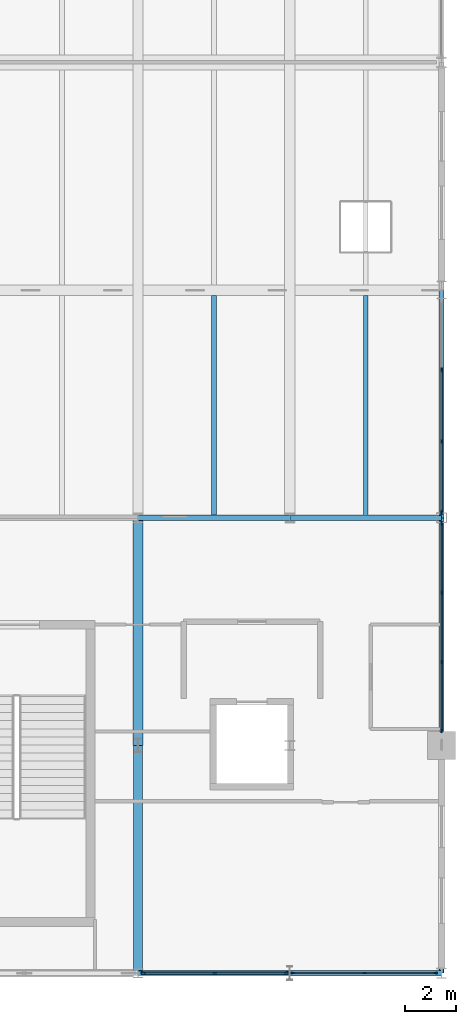
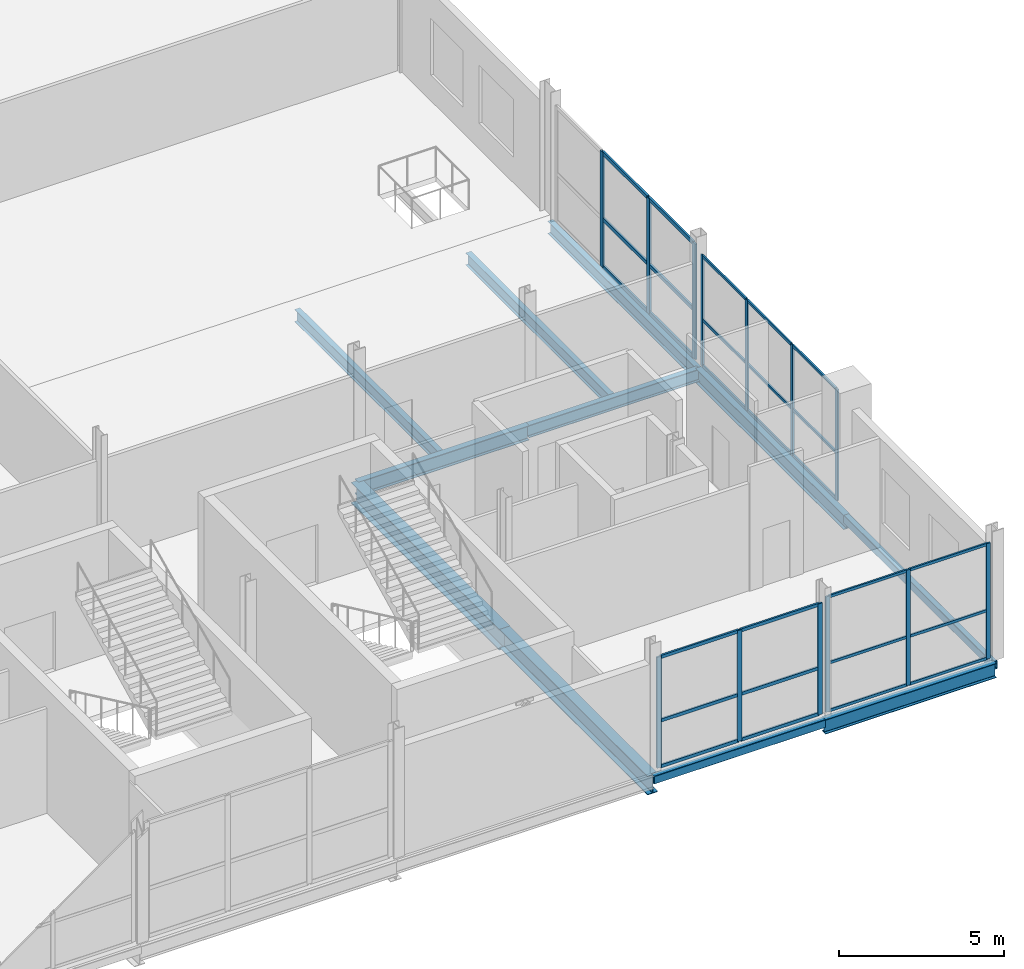
# One storey, part 21 of 69: 40 members, 11 beams, 4 elements without a shape of their own.
"""IFC4 building model written with IfcOpenShell, lengths in metres."""

from ifc_helpers import new_model, si_unit, direction, frame, origin, origin_2d, place, context, subcontext, project, spatial, rectangle, hollow_rectangle, i_section, extrude, material, layer, layer_set, material_profile, profile_set, type_object, element, aggregate, save


model = new_model("IFC4")

# Units and contexts
model_context = context("Model", 3, precision=1e-05, world=origin(), true_north=direction((0.0, 1.0)))
body_context = subcontext(model_context, "Body", "Model", "MODEL_VIEW")
ifc_project = project(units=[si_unit("LENGTHUNIT", "METRE"), si_unit("AREAUNIT", "SQUARE_METRE"), si_unit("VOLUMEUNIT", "CUBIC_METRE"), si_unit("PLANEANGLEUNIT", "RADIAN"), si_unit("MASSUNIT", "GRAM", prefix="KILO")], contexts=[model_context])

# Site, building, storey
site_placement = place(None, origin())
site = spatial("IfcSite", under=ifc_project, at=site_placement, CompositionType="ELEMENT")
building_placement = place(site_placement, origin())
building = spatial("IfcBuilding", under=site, at=building_placement, Name="Qamarlyn Nura Convention Centre", CompositionType="ELEMENT")
storey_placement = place(building_placement, frame((0.0, 0.0, 15.60009765625)))
storey = spatial("IfcBuildingStorey", under=building, at=storey_placement, Name="L03", CompositionType="ELEMENT", Elevation=15.60009765625)

# Beams
ifc_material_1 = material(Name="Steel ASTM A992", Category="steel")
ifc_material_profile_1 = material_profile(ifc_material_1, i_section(OverallWidth=0.35498046875, OverallDepth=0.695068359375, WebThickness=0.015380859375, FlangeThickness=0.02490234375, FilletRadius=0.01806640625, at=origin_2d()), Name="W690X217")
ifc_profile_set_1 = profile_set([ifc_material_profile_1], Name="Steel ASTM A992")
beam_type_1 = type_object("IfcBeamType", Name="BM-GIRD-690A", PredefinedType="BEAM", material=ifc_profile_set_1)
beam_1_placement = place(storey_placement, frame((180.0, 0.0, -0.547607421875), z_axis=(0.0, 1.0, 0.0), x_axis=(-1.0, 0.0, 0.0)))
element("IfcBeam", 1, at=beam_1_placement, inside=storey, type_object=beam_type_1, Name="L03 girder 16 A-B", PredefinedType="BEAM", context=body_context, shape_type="SweptSolid", body=[
    extrude(i_section(OverallWidth=0.35498046875, OverallDepth=0.695068359375, WebThickness=0.015380859375, FlangeThickness=0.02490234375, FilletRadius=0.01806640625, at=origin_2d()), origin(), (0.0, 0.0, 1.0), 9.0),
])
ifc_material_profile_2 = material_profile(ifc_material_1, i_section(OverallWidth=0.381103515625, OverallDepth=0.77294921875, WebThickness=0.0166015625, FlangeThickness=0.027587890625, FilletRadius=0.02001953125, at=origin_2d()), Name="W760X257")
ifc_profile_set_2 = profile_set([ifc_material_profile_2], Name="Steel ASTM A992")
beam_type_2 = type_object("IfcBeamType", Name="BM-GIRD-760", PredefinedType="BEAM", material=ifc_profile_set_2)
beam_2_placement = place(storey_placement, frame((180.0, 9.0, -0.586669921875), z_axis=(0.0, 1.0, 0.0), x_axis=(-1.0, 0.0, 0.0)))
element("IfcBeam", 2, at=beam_2_placement, inside=storey, type_object=beam_type_2, Name="L03 girder 16 B-C", PredefinedType="BEAM", context=body_context, shape_type="SweptSolid", body=[
    extrude(i_section(OverallWidth=0.381103515625, OverallDepth=0.77294921875, WebThickness=0.0166015625, FlangeThickness=0.027587890625, FilletRadius=0.02001953125, at=origin_2d()), origin(), (0.0, 0.0, 1.0), 9.0),
])
ifc_material_profile_3 = material_profile(ifc_material_1, i_section(OverallWidth=0.18994140625, OverallDepth=0.45703125, WebThickness=0.009033203125, FlangeThickness=0.014404296875, FilletRadius=0.012939453125, at=origin_2d()), Name="W460X74")
ifc_profile_set_3 = profile_set([ifc_material_profile_3], Name="Steel ASTM A992")
beam_type_3 = type_object("IfcBeamType", Name="BM-JOIST-460", PredefinedType="JOIST", material=ifc_profile_set_3)
beam_3_placement = place(storey_placement, frame((183.0, 18.10546875, -0.4287109375), z_axis=(0.0, 1.0, 0.0), x_axis=(-1.0, 0.0, 0.0)))
element("IfcBeam", 3, at=beam_3_placement, inside=storey, type_object=beam_type_3, Name="L03 secondary joist 16-17/C-D-42", PredefinedType="JOIST", context=body_context, shape_type="SweptSolid", body=[
    extrude(i_section(OverallWidth=0.18994140625, OverallDepth=0.45703125, WebThickness=0.009033203125, FlangeThickness=0.014404296875, FilletRadius=0.012939453125, at=origin_2d()), origin(), (0.0, 0.0, 1.0), 8.685546875),
])
beam_4_placement = place(storey_placement, frame((189.0, 18.096435546875, -0.4287109375), z_axis=(0.0, 1.0, 0.0), x_axis=(-1.0, 0.0, 0.0)))
element("IfcBeam", 4, at=beam_4_placement, inside=storey, type_object=beam_type_3, Name="L03 secondary joist 17-18/C-D-47", PredefinedType="JOIST", context=body_context, shape_type="SweptSolid", body=[
    extrude(i_section(OverallWidth=0.18994140625, OverallDepth=0.45703125, WebThickness=0.009033203125, FlangeThickness=0.014404296875, FilletRadius=0.012939453125, at=origin_2d()), origin(), (0.0, 0.0, 1.0), 8.694580078125),
])
ifc_material_profile_4 = material_profile(ifc_material_1, i_section(OverallWidth=0.193115234375, OverallDepth=0.466064453125, WebThickness=0.011474609375, FlangeThickness=0.01904296875, FilletRadius=0.012939453125, at=origin_2d()), Name="W460X97")
ifc_profile_set_4 = profile_set([ifc_material_profile_4], Name="Steel ASTM A992")
beam_type_4 = type_object("IfcBeamType", Name="BM-SPAN-460", PredefinedType="SPANDREL", material=ifc_profile_set_4)
beam_5_placement = place(storey_placement, frame((186.0, 18.0, -0.43310546875), z_axis=(1.0, 0.0, 0.0), x_axis=(0.0, 1.0, 0.0)))
element("IfcBeam", 5, at=beam_5_placement, inside=storey, type_object=beam_type_4, Name="L03 girder C 17-18", PredefinedType="SPANDREL", context=body_context, shape_type="SweptSolid", body=[
    extrude(i_section(OverallWidth=0.193115234375, OverallDepth=0.466064453125, WebThickness=0.011474609375, FlangeThickness=0.01904296875, FilletRadius=0.012939453125, at=origin_2d()), origin(), (0.0, 0.0, 1.0), 6.0),
])
beam_6_placement = place(storey_placement, frame((192.0, 18.0, -0.43310546875), z_axis=(0.0, 1.0, 0.0), x_axis=(-1.0, 0.0, 0.0)))
element("IfcBeam", 6, at=beam_6_placement, inside=storey, type_object=beam_type_4, Name="L03 girder 18 C-D", PredefinedType="SPANDREL", context=body_context, shape_type="SweptSolid", body=[
    extrude(i_section(OverallWidth=0.193115234375, OverallDepth=0.466064453125, WebThickness=0.011474609375, FlangeThickness=0.01904296875, FilletRadius=0.012939453125, at=origin_2d()), origin(), (0.0, 0.0, 1.0), 9.0),
])
ifc_material_profile_5 = material_profile(ifc_material_1, i_section(OverallWidth=0.2109375, OverallDepth=0.5390625, WebThickness=0.01171875, FlangeThickness=0.018798828125, FilletRadius=0.013916015625, at=origin_2d()), Name="W530X109")
ifc_profile_set_5 = profile_set([ifc_material_profile_5], Name="Steel ASTM A992")
beam_type_5 = type_object("IfcBeamType", Name="BM-SPAN-530", PredefinedType="SPANDREL", material=ifc_profile_set_5)
for number, where, z_axis, x_axis, name in (
    (7, (186.0, 0.0, -0.469482421875), (1.0, 0.0, 0.0), (0.0, 1.0, 0.0), "L03 girder A 17-18"),
    (8, (180.0, 18.0, -0.469482421875), (1.0, 0.0, 0.0), (0.0, 1.0, 0.0), "L03 girder C 16-17"),
):
    element("IfcBeam", number, at=place(storey_placement, frame(where, z_axis=z_axis, x_axis=x_axis)), inside=storey, type_object=beam_type_5, Name=name, PredefinedType="SPANDREL", context=body_context, shape_type="SweptSolid", body=[
        extrude(i_section(OverallWidth=0.2109375, OverallDepth=0.5390625, WebThickness=0.01171875, FlangeThickness=0.018798828125, FilletRadius=0.013916015625, at=origin_2d()), origin(), (0.0, 0.0, 1.0), 6.0),
    ])
beam_7_placement = place(storey_placement, frame((192.0, 9.0, -0.469482421875), z_axis=(0.0, 1.0, 0.0), x_axis=(-1.0, 0.0, 0.0)))
element("IfcBeam", 9, at=beam_7_placement, inside=storey, type_object=beam_type_5, Name="L03 girder 18 B-C", PredefinedType="SPANDREL", context=body_context, shape_type="SweptSolid", body=[
    extrude(i_section(OverallWidth=0.2109375, OverallDepth=0.5390625, WebThickness=0.01171875, FlangeThickness=0.018798828125, FilletRadius=0.013916015625, at=origin_2d()), origin(), (0.0, 0.0, 1.0), 9.0),
])
ifc_material_2 = material(Name="Steel ASTM A500 Grade C", Category="steel")
ifc_material_profile_6 = material_profile(ifc_material_2, hollow_rectangle(XDim=0.199951171875, YDim=0.300048828125, WallThickness=0.012451171875, InnerFilletRadius=0.012451171875, OuterFilletRadius=0.02490234375, at=origin_2d()), Name="HSS300X200X12.5")
ifc_profile_set_6 = profile_set([ifc_material_profile_6], Name="Steel ASTM A500 Grade C")
beam_type_6 = type_object("IfcBeamType", Name="BM-SPAN-HSS", PredefinedType="SPANDREL", material=ifc_profile_set_6)
beam_8_placement = place(storey_placement, frame((180.0, 0.0, -0.35009765625), z_axis=(1.0, 0.0, 0.0), x_axis=(0.0, 1.0, 0.0)))
element("IfcBeam", 10, at=beam_8_placement, inside=storey, type_object=beam_type_6, Name="L03 girder A 16-17", PredefinedType="SPANDREL", context=body_context, shape_type="SweptSolid", body=[
    extrude(hollow_rectangle(XDim=0.199951171875, YDim=0.300048828125, WallThickness=0.012451171875, InnerFilletRadius=0.012451171875, OuterFilletRadius=0.02490234375, at=origin_2d()), origin(), (0.0, 0.0, 1.0), 6.0),
])
beam_9_placement = place(storey_placement, frame((192.0, 0.0, -0.35009765625), z_axis=(0.0, 1.0, 0.0), x_axis=(-1.0, 0.0, 0.0)))
element("IfcBeam", 11, at=beam_9_placement, inside=storey, type_object=beam_type_6, Name="L03 girder 18 A-B", PredefinedType="SPANDREL", context=body_context, shape_type="SweptSolid", body=[
    extrude(hollow_rectangle(XDim=0.199951171875, YDim=0.300048828125, WallThickness=0.012451171875, InnerFilletRadius=0.012451171875, OuterFilletRadius=0.02490234375, at=origin_2d()), origin(), (0.0, 0.0, 1.0), 9.0),
])

# Curtain wall, members
ifc_material_3 = material(Name="Double-silver low-E insulated glass", Category="glass")
ifc_layer_1 = layer(ifc_material_3, 0.179931640625, Name="CW-UNIT-94")
ifc_layer_set_1 = layer_set([ifc_layer_1], Name="Double-silver low-E insulated glass")
curtain_wall_type_1 = type_object("IfcCurtainWallType", Name="CW-UNIT-94", PredefinedType="NOTDEFINED", material=ifc_layer_set_1)
curtain_wall_1_placement = place(storey_placement, origin())
curtain_wall_1 = element("IfcCurtainWall", 12, at=curtain_wall_1_placement, inside=storey, type_object=curtain_wall_type_1, Name="L03 unitised curtain wall EAST-2-1", PredefinedType="NOTDEFINED")
ifc_material_4 = material(Name="Champagne-anodised marine aluminium", Category="aluminium")
ifc_material_profile_7 = material_profile(ifc_material_4, rectangle(XDim=0.06005859375, YDim=0.139892578125, at=origin_2d()), Name="ALU MULLION 60x140")
ifc_profile_set_7 = profile_set([ifc_material_profile_7], Name="Champagne-anodised marine aluminium")
member_type_1 = type_object("IfcMemberType", Name="CWM-140", PredefinedType="MULLION", material=ifc_profile_set_7)
member_1_placement = place(storey_placement, frame((192.0, 17.77001953125, 0.0), z_axis=(0.0, 0.0, 1.0), x_axis=(1.0, 0.0, 0.0)))
member_1 = element("IfcMember", 13, at=member_1_placement, type_object=member_type_1, Name="CW94 mullion 1", PredefinedType="MULLION", context=body_context, shape_type="SweptSolid", body=[
    extrude(rectangle(XDim=0.06005859375, YDim=0.139892578125, at=origin_2d()), origin(), (0.0, 0.0, 1.0), 4.118896484375),
])
member_2_placement = place(storey_placement, frame((192.0, 15.050048828125, 0.0), z_axis=(0.0, 0.0, 1.0), x_axis=(1.0, 0.0, 0.0)))
member_2 = element("IfcMember", 14, at=member_2_placement, type_object=member_type_1, Name="CW94 mullion 2", PredefinedType="MULLION", context=body_context, shape_type="SweptSolid", body=[
    extrude(rectangle(XDim=0.06005859375, YDim=0.139892578125, at=origin_2d()), origin(), (0.0, 0.0, 1.0), 4.118896484375),
])
member_3_placement = place(storey_placement, frame((192.0, 12.300048828125, 0.0), z_axis=(0.0, 0.0, 1.0), x_axis=(1.0, 0.0, 0.0)))
member_3 = element("IfcMember", 15, at=member_3_placement, type_object=member_type_1, Name="CW94 mullion 3", PredefinedType="MULLION", context=body_context, shape_type="SweptSolid", body=[
    extrude(rectangle(XDim=0.06005859375, YDim=0.139892578125, at=origin_2d()), origin(), (0.0, 0.0, 1.0), 4.118896484375),
])
member_4_placement = place(storey_placement, frame((192.0, 9.580078125, 0.0), z_axis=(0.0, 0.0, 1.0), x_axis=(1.0, 0.0, 0.0)))
member_4 = element("IfcMember", 16, at=member_4_placement, type_object=member_type_1, Name="CW94 mullion 4", PredefinedType="MULLION", context=body_context, shape_type="SweptSolid", body=[
    extrude(rectangle(XDim=0.06005859375, YDim=0.139892578125, at=origin_2d()), origin(), (0.0, 0.0, 1.0), 4.118896484375),
])

ifc_layer_2 = layer(ifc_material_3, 0.179931640625, Name="CW-UNIT-121")
ifc_layer_set_2 = layer_set([ifc_layer_2], Name="Double-silver low-E insulated glass")
curtain_wall_type_2 = type_object("IfcCurtainWallType", Name="CW-UNIT-121", PredefinedType="NOTDEFINED", material=ifc_layer_set_2)
curtain_wall_2_placement = place(storey_placement, origin())
curtain_wall_2 = element("IfcCurtainWall", 17, at=curtain_wall_2_placement, inside=storey, type_object=curtain_wall_type_2, Name="L03 unitised curtain wall STH-5-1", PredefinedType="NOTDEFINED")
member_5_placement = place(storey_placement, frame((191.765380859375, 0.0, 0.0), z_axis=(0.0, 0.0, 1.0), x_axis=(0.0, -1.0, 0.0)))
member_5 = element("IfcMember", 18, at=member_5_placement, type_object=member_type_1, Name="CW121 mullion 1", PredefinedType="MULLION", context=body_context, shape_type="SweptSolid", body=[
    extrude(rectangle(XDim=0.06005859375, YDim=0.139892578125, at=origin_2d()), origin(), (0.0, 0.0, 1.0), 4.284912109375),
])
member_6_placement = place(storey_placement, frame((188.950439453125, 0.0, 0.0), z_axis=(0.0, 0.0, 1.0), x_axis=(0.0, -1.0, 0.0)))
member_6 = element("IfcMember", 19, at=member_6_placement, type_object=member_type_1, Name="CW121 mullion 2", PredefinedType="MULLION", context=body_context, shape_type="SweptSolid", body=[
    extrude(rectangle(XDim=0.06005859375, YDim=0.139892578125, at=origin_2d()), origin(), (0.0, 0.0, 1.0), 4.284912109375),
])
member_7_placement = place(storey_placement, frame((186.135498046875, 0.0, 0.0), z_axis=(0.0, 0.0, 1.0), x_axis=(0.0, -1.0, 0.0)))
member_7 = element("IfcMember", 20, at=member_7_placement, type_object=member_type_1, Name="CW121 mullion 3", PredefinedType="MULLION", context=body_context, shape_type="SweptSolid", body=[
    extrude(rectangle(XDim=0.06005859375, YDim=0.139892578125, at=origin_2d()), origin(), (0.0, 0.0, 1.0), 4.284912109375),
])

ifc_layer_3 = layer(ifc_material_3, 0.179931640625, Name="CW-UNIT-120")
ifc_layer_set_3 = layer_set([ifc_layer_3], Name="Double-silver low-E insulated glass")
curtain_wall_type_3 = type_object("IfcCurtainWallType", Name="CW-UNIT-120", PredefinedType="NOTDEFINED", material=ifc_layer_set_3)
curtain_wall_3_placement = place(storey_placement, origin())
curtain_wall_3 = element("IfcCurtainWall", 21, at=curtain_wall_3_placement, inside=storey, type_object=curtain_wall_type_3, Name="L03 unitised curtain wall STH-4-1", PredefinedType="NOTDEFINED")
ifc_material_profile_8 = material_profile(ifc_material_4, rectangle(XDim=0.06494140625, YDim=0.159912109375, at=origin_2d()), Name="ALU MULLION 65x160")
ifc_profile_set_8 = profile_set([ifc_material_profile_8], Name="Champagne-anodised marine aluminium")
member_type_2 = type_object("IfcMemberType", Name="CWM-160", PredefinedType="MULLION", material=ifc_profile_set_8)
member_8_placement = place(storey_placement, frame((185.862060546875, 0.0, 0.0), z_axis=(0.0, 0.0, 1.0), x_axis=(0.0, -1.0, 0.0)))
member_8 = element("IfcMember", 22, at=member_8_placement, type_object=member_type_2, Name="CW120 mullion 1", PredefinedType="MULLION", context=body_context, shape_type="SweptSolid", body=[
    extrude(rectangle(XDim=0.06494140625, YDim=0.159912109375, at=origin_2d()), origin(), (0.0, 0.0, 1.0), 4.118896484375),
])
member_9_placement = place(storey_placement, frame((183.03955078125, 0.0, 0.0), z_axis=(0.0, 0.0, 1.0), x_axis=(0.0, -1.0, 0.0)))
member_9 = element("IfcMember", 23, at=member_9_placement, type_object=member_type_2, Name="CW120 mullion 2", PredefinedType="MULLION", context=body_context, shape_type="SweptSolid", body=[
    extrude(rectangle(XDim=0.06494140625, YDim=0.159912109375, at=origin_2d()), origin(), (0.0, 0.0, 1.0), 4.118896484375),
])
member_10_placement = place(storey_placement, frame((180.217041015625, 0.0, 0.0), z_axis=(0.0, 0.0, 1.0), x_axis=(0.0, -1.0, 0.0)))
member_10 = element("IfcMember", 24, at=member_10_placement, type_object=member_type_2, Name="CW120 mullion 3", PredefinedType="MULLION", context=body_context, shape_type="SweptSolid", body=[
    extrude(rectangle(XDim=0.06494140625, YDim=0.159912109375, at=origin_2d()), origin(), (0.0, 0.0, 1.0), 4.118896484375),
])

ifc_layer_4 = layer(ifc_material_3, 0.179931640625, Name="CW-UNIT-112")
ifc_layer_set_4 = layer_set([ifc_layer_4], Name="Double-silver low-E insulated glass")
curtain_wall_type_4 = type_object("IfcCurtainWallType", Name="CW-UNIT-112", PredefinedType="NOTDEFINED", material=ifc_layer_set_4)
curtain_wall_4_placement = place(storey_placement, origin())
curtain_wall_4 = element("IfcCurtainWall", 25, at=curtain_wall_4_placement, inside=storey, type_object=curtain_wall_type_4, Name="L03 unitised curtain wall EAST-3-1", PredefinedType="NOTDEFINED")
ifc_material_profile_9 = material_profile(ifc_material_4, rectangle(XDim=0.070068359375, YDim=0.179931640625, at=origin_2d()), Name="ALU MULLION 70x180")
ifc_profile_set_9 = profile_set([ifc_material_profile_9], Name="Champagne-anodised marine aluminium")
member_type_3 = type_object("IfcMemberType", Name="CWM-180", PredefinedType="MULLION", material=ifc_profile_set_9)
member_11_placement = place(storey_placement, frame((192.0, 23.8349609375, 0.0), z_axis=(0.0, 0.0, 1.0), x_axis=(1.0, 0.0, 0.0)))
member_11 = element("IfcMember", 26, at=member_11_placement, type_object=member_type_3, Name="CW112 mullion 2", PredefinedType="MULLION", context=body_context, shape_type="SweptSolid", body=[
    extrude(rectangle(XDim=0.070068359375, YDim=0.179931640625, at=origin_2d()), origin(), (0.0, 0.0, 1.0), 4.284912109375),
])
member_12_placement = place(storey_placement, frame((192.0, 21.017578125, 0.0), z_axis=(0.0, 0.0, 1.0), x_axis=(1.0, 0.0, 0.0)))
member_12 = element("IfcMember", 27, at=member_12_placement, type_object=member_type_3, Name="CW112 mullion 3", PredefinedType="MULLION", context=body_context, shape_type="SweptSolid", body=[
    extrude(rectangle(XDim=0.070068359375, YDim=0.179931640625, at=origin_2d()), origin(), (0.0, 0.0, 1.0), 4.284912109375),
])
member_13_placement = place(storey_placement, frame((192.0, 18.235107421875, 0.0), z_axis=(0.0, 0.0, 1.0), x_axis=(1.0, 0.0, 0.0)))
member_13 = element("IfcMember", 28, at=member_13_placement, type_object=member_type_3, Name="CW112 mullion 4", PredefinedType="MULLION", context=body_context, shape_type="SweptSolid", body=[
    extrude(rectangle(XDim=0.070068359375, YDim=0.179931640625, at=origin_2d()), origin(), (0.0, 0.0, 1.0), 4.284912109375),
])

# Member
ifc_material_profile_10 = material_profile(ifc_material_4, rectangle(XDim=0.06005859375, YDim=0.10009765625, at=origin_2d()), Name="ALU TRANSOM 60x100")
ifc_profile_set_10 = profile_set([ifc_material_profile_10], Name="Champagne-anodised marine aluminium")
member_type_4 = type_object("IfcMemberType", Name="CWT-100", PredefinedType="USERDEFINED", material=ifc_profile_set_10)
member_14_placement = place(storey_placement, frame((192.0, 17.739990234375, 0.02978515625), z_axis=(0.0, -1.0, 0.0), x_axis=(1.0, 0.0, 0.0)))
member_14 = element("IfcMember", 29, at=member_14_placement, type_object=member_type_4, Name="CW94 transom 1.1", ObjectType="TRANSOM", PredefinedType="USERDEFINED", context=body_context, shape_type="SweptSolid", body=[
    extrude(rectangle(XDim=0.06005859375, YDim=0.10009765625, at=origin_2d()), origin(), (0.0, 0.0, 1.0), 2.659912109375),
])

member_15_placement = place(storey_placement, frame((192.0, 17.739990234375, 1.72998046875), z_axis=(0.0, -1.0, 0.0), x_axis=(1.0, 0.0, 0.0)))
member_15 = element("IfcMember", 30, at=member_15_placement, type_object=member_type_4, Name="CW94 transom 1.2", ObjectType="TRANSOM", PredefinedType="USERDEFINED", context=body_context, shape_type="SweptSolid", body=[
    extrude(rectangle(XDim=0.06005859375, YDim=0.10009765625, at=origin_2d()), origin(), (0.0, 0.0, 1.0), 2.659912109375),
])

member_16_placement = place(storey_placement, frame((192.0, 17.739990234375, 4.0888671875), z_axis=(0.0, -1.0, 0.0), x_axis=(1.0, 0.0, 0.0)))
member_16 = element("IfcMember", 31, at=member_16_placement, type_object=member_type_4, Name="CW94 transom 1.3", ObjectType="TRANSOM", PredefinedType="USERDEFINED", context=body_context, shape_type="SweptSolid", body=[
    extrude(rectangle(XDim=0.06005859375, YDim=0.10009765625, at=origin_2d()), origin(), (0.0, 0.0, 1.0), 2.659912109375),
])

member_17_placement = place(storey_placement, frame((192.0, 15.02001953125, 0.02978515625), z_axis=(0.0, -1.0, 0.0), x_axis=(1.0, 0.0, 0.0)))
member_17 = element("IfcMember", 32, at=member_17_placement, type_object=member_type_4, Name="CW94 transom 2.1", ObjectType="TRANSOM", PredefinedType="USERDEFINED", context=body_context, shape_type="SweptSolid", body=[
    extrude(rectangle(XDim=0.06005859375, YDim=0.10009765625, at=origin_2d()), origin(), (0.0, 0.0, 1.0), 2.68994140625),
])

member_18_placement = place(storey_placement, frame((192.0, 15.02001953125, 1.72998046875), z_axis=(0.0, -1.0, 0.0), x_axis=(1.0, 0.0, 0.0)))
member_18 = element("IfcMember", 33, at=member_18_placement, type_object=member_type_4, Name="CW94 transom 2.2", ObjectType="TRANSOM", PredefinedType="USERDEFINED", context=body_context, shape_type="SweptSolid", body=[
    extrude(rectangle(XDim=0.06005859375, YDim=0.10009765625, at=origin_2d()), origin(), (0.0, 0.0, 1.0), 2.68994140625),
])

member_19_placement = place(storey_placement, frame((192.0, 15.02001953125, 4.0888671875), z_axis=(0.0, -1.0, 0.0), x_axis=(1.0, 0.0, 0.0)))
member_19 = element("IfcMember", 34, at=member_19_placement, type_object=member_type_4, Name="CW94 transom 2.3", ObjectType="TRANSOM", PredefinedType="USERDEFINED", context=body_context, shape_type="SweptSolid", body=[
    extrude(rectangle(XDim=0.06005859375, YDim=0.10009765625, at=origin_2d()), origin(), (0.0, 0.0, 1.0), 2.68994140625),
])

member_20_placement = place(storey_placement, frame((192.0, 12.27001953125, 0.02978515625), z_axis=(0.0, -1.0, 0.0), x_axis=(1.0, 0.0, 0.0)))
member_20 = element("IfcMember", 35, at=member_20_placement, type_object=member_type_4, Name="CW94 transom 3.1", ObjectType="TRANSOM", PredefinedType="USERDEFINED", context=body_context, shape_type="SweptSolid", body=[
    extrude(rectangle(XDim=0.06005859375, YDim=0.10009765625, at=origin_2d()), origin(), (0.0, 0.0, 1.0), 2.659912109375),
])

member_21_placement = place(storey_placement, frame((192.0, 12.27001953125, 1.72998046875), z_axis=(0.0, -1.0, 0.0), x_axis=(1.0, 0.0, 0.0)))
member_21 = element("IfcMember", 36, at=member_21_placement, type_object=member_type_4, Name="CW94 transom 3.2", ObjectType="TRANSOM", PredefinedType="USERDEFINED", context=body_context, shape_type="SweptSolid", body=[
    extrude(rectangle(XDim=0.06005859375, YDim=0.10009765625, at=origin_2d()), origin(), (0.0, 0.0, 1.0), 2.659912109375),
])

member_22_placement = place(storey_placement, frame((192.0, 12.27001953125, 4.0888671875), z_axis=(0.0, -1.0, 0.0), x_axis=(1.0, 0.0, 0.0)))
member_22 = element("IfcMember", 37, at=member_22_placement, type_object=member_type_4, Name="CW94 transom 3.3", ObjectType="TRANSOM", PredefinedType="USERDEFINED", context=body_context, shape_type="SweptSolid", body=[
    extrude(rectangle(XDim=0.06005859375, YDim=0.10009765625, at=origin_2d()), origin(), (0.0, 0.0, 1.0), 2.659912109375),
])

aggregate(curtain_wall_1, [member_1, member_2, member_3, member_4, member_14, member_15, member_16, member_17, member_18, member_19, member_20, member_21, member_22])

member_23_placement = place(storey_placement, frame((191.735595703125, 0.0, 0.02978515625), z_axis=(-1.0, 0.0, 0.0), x_axis=(0.0, -1.0, 0.0)))
member_23 = element("IfcMember", 38, at=member_23_placement, type_object=member_type_4, Name="CW121 transom 1.1", ObjectType="TRANSOM", PredefinedType="USERDEFINED", context=body_context, shape_type="SweptSolid", body=[
    extrude(rectangle(XDim=0.06005859375, YDim=0.10009765625, at=origin_2d()), origin(), (0.0, 0.0, 1.0), 2.755126953125),
])

member_24_placement = place(storey_placement, frame((191.735595703125, 0.0, 1.7998046875), z_axis=(-1.0, 0.0, 0.0), x_axis=(0.0, -1.0, 0.0)))
member_24 = element("IfcMember", 39, at=member_24_placement, type_object=member_type_4, Name="CW121 transom 1.2", ObjectType="TRANSOM", PredefinedType="USERDEFINED", context=body_context, shape_type="SweptSolid", body=[
    extrude(rectangle(XDim=0.06005859375, YDim=0.10009765625, at=origin_2d()), origin(), (0.0, 0.0, 1.0), 2.755126953125),
])

member_25_placement = place(storey_placement, frame((191.735595703125, 0.0, 4.2548828125), z_axis=(-1.0, 0.0, 0.0), x_axis=(0.0, -1.0, 0.0)))
member_25 = element("IfcMember", 40, at=member_25_placement, type_object=member_type_4, Name="CW121 transom 1.3", ObjectType="TRANSOM", PredefinedType="USERDEFINED", context=body_context, shape_type="SweptSolid", body=[
    extrude(rectangle(XDim=0.06005859375, YDim=0.10009765625, at=origin_2d()), origin(), (0.0, 0.0, 1.0), 2.755126953125),
])

member_26_placement = place(storey_placement, frame((188.92041015625, 0.0, 0.02978515625), z_axis=(-1.0, 0.0, 0.0), x_axis=(0.0, -1.0, 0.0)))
member_26 = element("IfcMember", 41, at=member_26_placement, type_object=member_type_4, Name="CW121 transom 2.1", ObjectType="TRANSOM", PredefinedType="USERDEFINED", context=body_context, shape_type="SweptSolid", body=[
    extrude(rectangle(XDim=0.06005859375, YDim=0.10009765625, at=origin_2d()), origin(), (0.0, 0.0, 1.0), 2.7548828125),
])

member_27_placement = place(storey_placement, frame((188.92041015625, 0.0, 1.7998046875), z_axis=(-1.0, 0.0, 0.0), x_axis=(0.0, -1.0, 0.0)))
member_27 = element("IfcMember", 42, at=member_27_placement, type_object=member_type_4, Name="CW121 transom 2.2", ObjectType="TRANSOM", PredefinedType="USERDEFINED", context=body_context, shape_type="SweptSolid", body=[
    extrude(rectangle(XDim=0.06005859375, YDim=0.10009765625, at=origin_2d()), origin(), (0.0, 0.0, 1.0), 2.7548828125),
])

member_28_placement = place(storey_placement, frame((188.92041015625, 0.0, 4.2548828125), z_axis=(-1.0, 0.0, 0.0), x_axis=(0.0, -1.0, 0.0)))
member_28 = element("IfcMember", 43, at=member_28_placement, type_object=member_type_4, Name="CW121 transom 2.3", ObjectType="TRANSOM", PredefinedType="USERDEFINED", context=body_context, shape_type="SweptSolid", body=[
    extrude(rectangle(XDim=0.06005859375, YDim=0.10009765625, at=origin_2d()), origin(), (0.0, 0.0, 1.0), 2.7548828125),
])

aggregate(curtain_wall_2, [member_5, member_6, member_7, member_23, member_24, member_25, member_26, member_27, member_28])

ifc_material_profile_11 = material_profile(ifc_material_4, rectangle(XDim=0.06494140625, YDim=0.1201171875, at=origin_2d()), Name="ALU TRANSOM 65x120")
ifc_profile_set_11 = profile_set([ifc_material_profile_11], Name="Champagne-anodised marine aluminium")
member_type_5 = type_object("IfcMemberType", Name="CWT-120", PredefinedType="USERDEFINED", material=ifc_profile_set_11)
member_29_placement = place(storey_placement, frame((185.82958984375, 0.0, 0.032470703125), z_axis=(-1.0, 0.0, 0.0), x_axis=(0.0, -1.0, 0.0)))
member_29 = element("IfcMember", 44, at=member_29_placement, type_object=member_type_5, Name="CW120 transom 1.1", ObjectType="TRANSOM", PredefinedType="USERDEFINED", context=body_context, shape_type="SweptSolid", body=[
    extrude(rectangle(XDim=0.06494140625, YDim=0.1201171875, at=origin_2d()), origin(), (0.0, 0.0, 1.0), 2.757568359375),
])

member_30_placement = place(storey_placement, frame((185.82958984375, 0.0, 1.72998046875), z_axis=(-1.0, 0.0, 0.0), x_axis=(0.0, -1.0, 0.0)))
member_30 = element("IfcMember", 45, at=member_30_placement, type_object=member_type_5, Name="CW120 transom 1.2", ObjectType="TRANSOM", PredefinedType="USERDEFINED", context=body_context, shape_type="SweptSolid", body=[
    extrude(rectangle(XDim=0.06494140625, YDim=0.1201171875, at=origin_2d()), origin(), (0.0, 0.0, 1.0), 2.757568359375),
])

member_31_placement = place(storey_placement, frame((185.82958984375, 0.0, 4.08642578125), z_axis=(-1.0, 0.0, 0.0), x_axis=(0.0, -1.0, 0.0)))
member_31 = element("IfcMember", 46, at=member_31_placement, type_object=member_type_5, Name="CW120 transom 1.3", ObjectType="TRANSOM", PredefinedType="USERDEFINED", context=body_context, shape_type="SweptSolid", body=[
    extrude(rectangle(XDim=0.06494140625, YDim=0.1201171875, at=origin_2d()), origin(), (0.0, 0.0, 1.0), 2.757568359375),
])

member_32_placement = place(storey_placement, frame((183.007080078125, 0.0, 0.032470703125), z_axis=(-1.0, 0.0, 0.0), x_axis=(0.0, -1.0, 0.0)))
member_32 = element("IfcMember", 47, at=member_32_placement, type_object=member_type_5, Name="CW120 transom 2.1", ObjectType="TRANSOM", PredefinedType="USERDEFINED", context=body_context, shape_type="SweptSolid", body=[
    extrude(rectangle(XDim=0.06494140625, YDim=0.1201171875, at=origin_2d()), origin(), (0.0, 0.0, 1.0), 2.757568359375),
])

member_33_placement = place(storey_placement, frame((183.007080078125, 0.0, 1.72998046875), z_axis=(-1.0, 0.0, 0.0), x_axis=(0.0, -1.0, 0.0)))
member_33 = element("IfcMember", 48, at=member_33_placement, type_object=member_type_5, Name="CW120 transom 2.2", ObjectType="TRANSOM", PredefinedType="USERDEFINED", context=body_context, shape_type="SweptSolid", body=[
    extrude(rectangle(XDim=0.06494140625, YDim=0.1201171875, at=origin_2d()), origin(), (0.0, 0.0, 1.0), 2.757568359375),
])

member_34_placement = place(storey_placement, frame((183.007080078125, 0.0, 4.08642578125), z_axis=(-1.0, 0.0, 0.0), x_axis=(0.0, -1.0, 0.0)))
member_34 = element("IfcMember", 49, at=member_34_placement, type_object=member_type_5, Name="CW120 transom 2.3", ObjectType="TRANSOM", PredefinedType="USERDEFINED", context=body_context, shape_type="SweptSolid", body=[
    extrude(rectangle(XDim=0.06494140625, YDim=0.1201171875, at=origin_2d()), origin(), (0.0, 0.0, 1.0), 2.757568359375),
])

aggregate(curtain_wall_3, [member_8, member_9, member_10, member_29, member_30, member_31, member_32, member_33, member_34])

ifc_material_profile_12 = material_profile(ifc_material_4, rectangle(XDim=0.070068359375, YDim=0.139892578125, at=origin_2d()), Name="ALU TRANSOM 70x140")
ifc_profile_set_12 = profile_set([ifc_material_profile_12], Name="Champagne-anodised marine aluminium")
member_type_6 = type_object("IfcMemberType", Name="CWT-140", PredefinedType="USERDEFINED", material=ifc_profile_set_12)
member_35_placement = place(storey_placement, frame((192.0, 23.800048828125, 0.034912109375), z_axis=(0.0, -1.0, 0.0), x_axis=(1.0, 0.0, 0.0)))
member_35 = element("IfcMember", 50, at=member_35_placement, type_object=member_type_6, Name="CW112 transom 2.1", ObjectType="TRANSOM", PredefinedType="USERDEFINED", context=body_context, shape_type="SweptSolid", body=[
    extrude(rectangle(XDim=0.070068359375, YDim=0.139892578125, at=origin_2d()), origin(), (0.0, 0.0, 1.0), 2.74755859375),
])

member_36_placement = place(storey_placement, frame((192.0, 23.800048828125, 1.7998046875), z_axis=(0.0, -1.0, 0.0), x_axis=(1.0, 0.0, 0.0)))
member_36 = element("IfcMember", 51, at=member_36_placement, type_object=member_type_6, Name="CW112 transom 2.2", ObjectType="TRANSOM", PredefinedType="USERDEFINED", context=body_context, shape_type="SweptSolid", body=[
    extrude(rectangle(XDim=0.070068359375, YDim=0.139892578125, at=origin_2d()), origin(), (0.0, 0.0, 1.0), 2.74755859375),
])

member_37_placement = place(storey_placement, frame((192.0, 23.800048828125, 4.25), z_axis=(0.0, -1.0, 0.0), x_axis=(1.0, 0.0, 0.0)))
member_37 = element("IfcMember", 52, at=member_37_placement, type_object=member_type_6, Name="CW112 transom 2.3", ObjectType="TRANSOM", PredefinedType="USERDEFINED", context=body_context, shape_type="SweptSolid", body=[
    extrude(rectangle(XDim=0.070068359375, YDim=0.139892578125, at=origin_2d()), origin(), (0.0, 0.0, 1.0), 2.74755859375),
])

member_38_placement = place(storey_placement, frame((192.0, 20.982421875, 0.034912109375), z_axis=(0.0, -1.0, 0.0), x_axis=(1.0, 0.0, 0.0)))
member_38 = element("IfcMember", 53, at=member_38_placement, type_object=member_type_6, Name="CW112 transom 3.1", ObjectType="TRANSOM", PredefinedType="USERDEFINED", context=body_context, shape_type="SweptSolid", body=[
    extrude(rectangle(XDim=0.070068359375, YDim=0.139892578125, at=origin_2d()), origin(), (0.0, 0.0, 1.0), 2.71240234375),
])

member_39_placement = place(storey_placement, frame((192.0, 20.982421875, 1.7998046875), z_axis=(0.0, -1.0, 0.0), x_axis=(1.0, 0.0, 0.0)))
member_39 = element("IfcMember", 54, at=member_39_placement, type_object=member_type_6, Name="CW112 transom 3.2", ObjectType="TRANSOM", PredefinedType="USERDEFINED", context=body_context, shape_type="SweptSolid", body=[
    extrude(rectangle(XDim=0.070068359375, YDim=0.139892578125, at=origin_2d()), origin(), (0.0, 0.0, 1.0), 2.71240234375),
])

member_40_placement = place(storey_placement, frame((192.0, 20.982421875, 4.25), z_axis=(0.0, -1.0, 0.0), x_axis=(1.0, 0.0, 0.0)))
member_40 = element("IfcMember", 55, at=member_40_placement, type_object=member_type_6, Name="CW112 transom 3.3", ObjectType="TRANSOM", PredefinedType="USERDEFINED", context=body_context, shape_type="SweptSolid", body=[
    extrude(rectangle(XDim=0.070068359375, YDim=0.139892578125, at=origin_2d()), origin(), (0.0, 0.0, 1.0), 2.71240234375),
])

aggregate(curtain_wall_4, [member_11, member_12, member_13, member_35, member_36, member_37, member_38, member_39, member_40])

save(model, "model.ifc")
